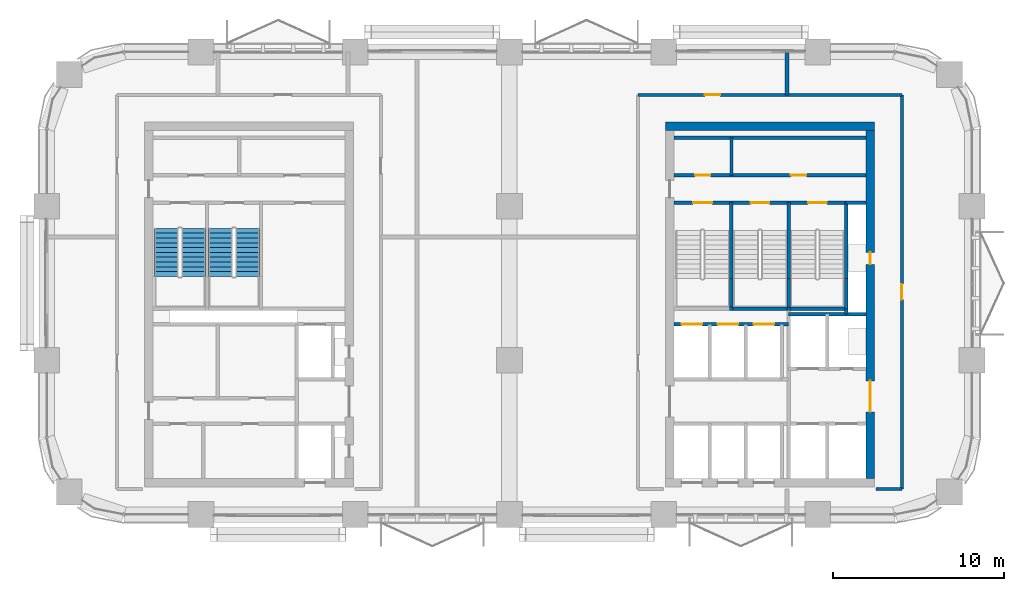
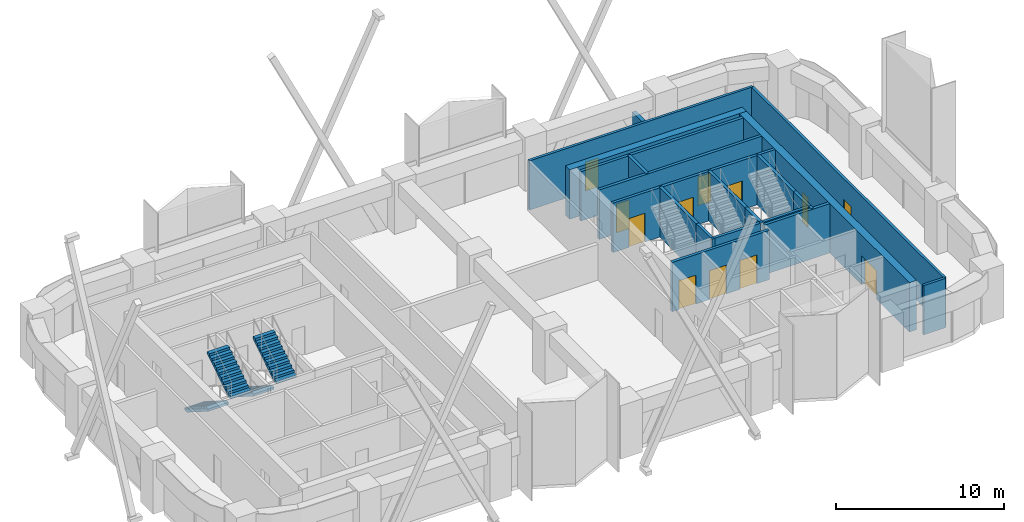
# One storey, part 11 of 14: 24 walls, 12 doors, 4 stair flights, 12 openings, 2 elements without a shape of their own.
"""IFC4 building model written with IfcOpenShell, lengths in metres."""

from ifc_helpers import new_model, si_unit, direction, frame, frame_2d, origin, place, context, subcontext, project, spatial, polyline, rectangle, outline, extrude, material, layer, layer_set, type_object, element, fill, aggregate, save


model = new_model("IFC4")

# Units and contexts
model_context = context("Model", 3, precision=1e-05, world=origin(), true_north=direction((0.0, 1.0)))
body_context = subcontext(model_context, "Body", "Model", "MODEL_VIEW")
ifc_project = project(units=[si_unit("LENGTHUNIT", "METRE"), si_unit("AREAUNIT", "SQUARE_METRE"), si_unit("VOLUMEUNIT", "CUBIC_METRE"), si_unit("PLANEANGLEUNIT", "RADIAN"), si_unit("MASSUNIT", "GRAM", prefix="KILO")], contexts=[model_context])

# Site, building, storey
site_placement = place(None, origin())
site = spatial("IfcSite", under=ifc_project, at=site_placement, CompositionType="ELEMENT")
building_placement = place(site_placement, origin())
building = spatial("IfcBuilding", under=site, at=building_placement, Name="Tessera Arch", CompositionType="ELEMENT")
storey_placement = place(building_placement, frame((0.0, 0.0, 181.699951171875)))
storey = spatial("IfcBuildingStorey", under=building, at=storey_placement, Name="L43", CompositionType="ELEMENT", Elevation=181.699951171875)

# Wall
ifc_material_1 = material(Name="Gypsum board on steel stud", Category="steel")
ifc_layer_1 = layer(ifc_material_1, 0.125)
ifc_layer_set_1 = layer_set([ifc_layer_1], Name="Core partition 125 EI 60")
wall_type_1 = type_object("IfcWallType", Name="Core partition 125 EI 60", PredefinedType="PARTITIONING", material=ifc_layer_set_1)
wall_1_placement = place(storey_placement, frame((39.9599609375, 46.800048828125, 0.0), z_axis=(0.0, 0.0, 1.0), x_axis=(0.0, 1.0, 0.0)))
element("IfcWall", 1, at=wall_1_placement, inside=storey, type_object=wall_type_1, Name="L43 C1 partition wall 5", PredefinedType="PARTITIONING", context=body_context, shape_type="SweptSolid", body=[
    extrude(rectangle(XDim=2.199951171875, YDim=0.199951171875, at=frame_2d((1.10009765625, 0.0))), origin(), (0.0, 0.0, 1.0), 3.60009765625),
])

# Wall, openings, doors
wall_2_placement = place(storey_placement, frame((36.60009765625, 46.800048828125, 0.0), z_axis=(0.0, 0.0, 1.0), x_axis=(1.0, 0.0, 0.0)))
wall_2 = element("IfcWall", 2, at=wall_2_placement, inside=storey, type_object=wall_type_1, Name="L43 C1 partition wall 31", PredefinedType="PARTITIONING", context=body_context, shape_type="SweptSolid", body=[
    extrude(rectangle(XDim=11.199951171875, YDim=0.199951171875, at=frame_2d((5.60009765625, 0.0))), origin(), (0.0, 0.0, 1.0), 3.60009765625),
])
opening_1_placement = place(wall_2_placement, frame((1.22998046875, 0.0, 0.0)))
opening_1 = element("IfcOpeningElement", 3, at=opening_1_placement, cuts=wall_2, Name="Opening L43-C18", PredefinedType="OPENING", context=body_context, shape_type="SweptSolid", body=[
    extrude(rectangle(XDim=0.89990234375, YDim=2.10009765625, at=frame_2d((0.449951171875, 1.050048828125))), frame((0.0, 0.10986328125, 0.0), z_axis=(0.0, -1.0, 0.0), x_axis=(1.0, 0.0, 0.0)), (0.0, 0.0, 1.0), 0.219970703125),
])
opening_2_placement = place(wall_2_placement, frame((6.830078125, 0.0, 0.0)))
opening_2 = element("IfcOpeningElement", 4, at=opening_2_placement, cuts=wall_2, Name="Opening L43-C19", PredefinedType="OPENING", context=body_context, shape_type="SweptSolid", body=[
    extrude(rectangle(XDim=0.89990234375, YDim=2.10009765625, at=frame_2d((0.449951171875, 1.050048828125))), frame((0.0, 0.10986328125, 0.0), z_axis=(0.0, -1.0, 0.0), x_axis=(1.0, 0.0, 0.0)), (0.0, 0.0, 1.0), 0.219970703125),
])
ifc_material_2 = material(Name="Steel door leaf", Category="steel")
door_type_1 = type_object("IfcDoorType", Name="Store door FD30S 900 x 2100", OperationType="SINGLE_SWING_LEFT", PredefinedType="DOOR", material=ifc_material_2)
door_1_placement = place(opening_1_placement, origin())
door_1 = element("IfcDoor", 5, at=door_1_placement, inside=storey, type_object=door_type_1, Name="L43 C1 door 18 C18 type D09", OperationType="SINGLE_SWING_LEFT", OverallHeight=2.10009765625, OverallWidth=0.89990234375, PredefinedType="DOOR", context=body_context, shape_type="SweptSolid", body=[
    extrude(rectangle(XDim=0.89990234375, YDim=2.10009765625, at=frame_2d((0.449951171875, 1.050048828125))), frame((0.0, 0.02490234375, 0.0), z_axis=(0.0, -1.0, 0.0), x_axis=(1.0, 0.0, 0.0)), (0.0, 0.0, 1.0), 0.050048828125),
])
fill(opening_1, door_1)
door_2_placement = place(opening_2_placement, origin())
door_2 = element("IfcDoor", 6, at=door_2_placement, inside=storey, type_object=door_type_1, Name="L43 C1 door 19 C19 type D09", OperationType="SINGLE_SWING_RIGHT", OverallHeight=2.10009765625, OverallWidth=0.89990234375, PredefinedType="DOOR", context=body_context, shape_type="SweptSolid", body=[
    extrude(rectangle(XDim=0.89990234375, YDim=2.10009765625, at=frame_2d((0.449951171875, 1.050048828125))), frame((0.0, 0.02490234375, 0.0), z_axis=(0.0, -1.0, 0.0), x_axis=(1.0, 0.0, 0.0)), (0.0, 0.0, 1.0), 0.050048828125),
])
fill(opening_2, door_2)

# Walls
wall_3_placement = place(storey_placement, frame((36.60009765625, 49.0, 0.0), z_axis=(0.0, 0.0, 1.0), x_axis=(1.0, 0.0, 0.0)))
element("IfcWall", 7, at=wall_3_placement, inside=storey, type_object=wall_type_1, Name="L43 C1 partition wall 32", PredefinedType="PARTITIONING", context=body_context, shape_type="SweptSolid", body=[
    extrude(rectangle(XDim=11.199951171875, YDim=0.199951171875, at=frame_2d((5.60009765625, 0.0))), origin(), (0.0, 0.0, 1.0), 3.60009765625),
])
ifc_material_3 = material(Name="Concrete C60/75", Category="concrete")
ifc_layer_2 = layer(ifc_material_3, 0.5)
ifc_layer_set_2 = layer_set([ifc_layer_2], Name="Core shell wall 500 C60-75")
wall_type_2 = type_object("IfcWallType", Name="Core shell wall 500 C60-75", PredefinedType="SHEAR", material=ifc_layer_set_2)
wall_4_placement = place(storey_placement, frame((36.10009765625, 49.64990234375, 0.0), z_axis=(0.0, 0.0, 1.0), x_axis=(1.0, 0.0, 0.0)))
element("IfcWall", 8, at=wall_4_placement, inside=storey, type_object=wall_type_2, Name="L43 C1 core wall N", PredefinedType="SHEAR", context=body_context, shape_type="SweptSolid", body=[
    extrude(rectangle(XDim=12.199951171875, YDim=0.5, at=frame_2d((6.10009765625, 0.0))), origin(), (0.0, 0.0, 1.0), 3.60009765625),
])

# Wall, openings, doors
wall_5_placement = place(storey_placement, frame((48.050048828125, 29.10009765625, 0.0), z_axis=(0.0, 0.0, 1.0), x_axis=(0.0, 1.0, 0.0)))
wall_5 = element("IfcWall", 9, at=wall_5_placement, inside=storey, type_object=wall_type_2, Name="L43 C1 core wall E", PredefinedType="SHEAR", context=body_context, shape_type="SweptSolid", body=[
    extrude(rectangle(XDim=20.2998046875, YDim=0.5, at=frame_2d((10.14990234375, 0.0))), origin(), (0.0, 0.0, 1.0), 3.60009765625),
])
opening_3_placement = place(wall_5_placement, frame((12.5, 0.0, 0.0)))
opening_3 = element("IfcOpeningElement", 10, at=opening_3_placement, cuts=wall_5, Name="Opening L43-C14", PredefinedType="OPENING", context=body_context, shape_type="SweptSolid", body=[
    extrude(rectangle(XDim=0.699951171875, YDim=2.10009765625, at=frame_2d((0.35009765625, 1.050048828125))), frame((0.0, 0.260009765625, 0.0), z_axis=(0.0, -1.0, 0.0), x_axis=(1.0, 0.0, 0.0)), (0.0, 0.0, 1.0), 0.52001953125),
])
opening_4_placement = place(wall_5_placement, frame((3.89990234375, 0.0, 0.0)))
opening_4 = element("IfcOpeningElement", 11, at=opening_4_placement, cuts=wall_5, Name="Opening L43-C15", PredefinedType="OPENING", context=body_context, shape_type="SweptSolid", body=[
    extrude(rectangle(XDim=1.800048828125, YDim=2.10009765625, at=frame_2d((0.89990234375, 1.050048828125))), frame((0.0, 0.260009765625, 0.0), z_axis=(0.0, -1.0, 0.0), x_axis=(1.0, 0.0, 0.0)), (0.0, 0.0, 1.0), 0.52001953125),
])
ifc_material_4 = material(Name="Glazed steel door leaf", Category="steel")
door_type_2 = type_object("IfcDoorType", Name="Lobby double door FD60 1800 x 2100", OperationType="DOUBLE_DOOR_SINGLE_SWING", PredefinedType="DOOR", material=ifc_material_4)
door_3_placement = place(opening_4_placement, origin())
door_3 = element("IfcDoor", 12, at=door_3_placement, inside=storey, type_object=door_type_2, Name="L43 C1 door 15 C15 type D19", OperationType="DOUBLE_DOOR_SINGLE_SWING", OverallHeight=2.10009765625, OverallWidth=1.800048828125, PredefinedType="DOOR", context=body_context, shape_type="SweptSolid", body=[
    extrude(rectangle(XDim=1.800048828125, YDim=2.10009765625, at=frame_2d((0.89990234375, 1.050048828125))), frame((0.0, 0.02490234375, 0.0), z_axis=(0.0, -1.0, 0.0), x_axis=(1.0, 0.0, 0.0)), (0.0, 0.0, 1.0), 0.050048828125),
])
fill(opening_4, door_3)
ifc_material_5 = material(Name="Steel door leaf", Category="steel")
door_type_3 = type_object("IfcDoorType", Name="Service shaft door FD60 700 x 2100", OperationType="SINGLE_SWING_LEFT", PredefinedType="DOOR", material=ifc_material_5)
door_4_placement = place(opening_3_placement, origin())
door_4 = element("IfcDoor", 13, at=door_4_placement, inside=storey, type_object=door_type_3, Name="L43 C1 door 14 C14 type D07", OperationType="SINGLE_SWING_RIGHT", OverallHeight=2.10009765625, OverallWidth=0.699951171875, PredefinedType="DOOR", context=body_context, shape_type="SweptSolid", body=[
    extrude(rectangle(XDim=0.699951171875, YDim=2.10009765625, at=frame_2d((0.35009765625, 1.050048828125))), frame((0.0, 0.02490234375, 0.0), z_axis=(0.0, -1.0, 0.0), x_axis=(1.0, 0.0, 0.0)), (0.0, 0.0, 1.0), 0.050048828125),
])
fill(opening_3, door_4)

# Wall
ifc_material_6 = material(Name="Gypsum board on deep steel stud with mineral wool", Category="steel")
ifc_layer_3 = layer(ifc_material_6, 0.175048828125)
ifc_layer_set_3 = layer_set([ifc_layer_3], Name="Corridor wall 175 EI 60")
wall_type_3 = type_object("IfcWallType", Name="Corridor wall 175 EI 60", PredefinedType="PARTITIONING", material=ifc_layer_set_3)
wall_6_placement = place(storey_placement, frame((48.39990234375, 28.5, 0.0), z_axis=(0.0, 0.0, 1.0), x_axis=(1.0, 0.0, 0.0)))
element("IfcWall", 14, at=wall_6_placement, inside=storey, type_object=wall_type_3, Name="L43 partition 4", PredefinedType="PARTITIONING", context=body_context, shape_type="SweptSolid", body=[
    extrude(rectangle(XDim=1.5, YDim=0.175048828125, at=frame_2d((0.75, 0.0))), origin(), (0.0, 0.0, 1.0), 3.60009765625),
])

# Wall, opening, door
wall_7_placement = place(storey_placement, frame((34.5, 51.5, 0.0), z_axis=(0.0, 0.0, 1.0), x_axis=(1.0, 0.0, 0.0)))
wall_7 = element("IfcWall", 15, at=wall_7_placement, inside=storey, type_object=wall_type_3, Name="L43 partition 6", PredefinedType="PARTITIONING", context=body_context, shape_type="SweptSolid", body=[
    extrude(rectangle(XDim=15.39990234375, YDim=0.175048828125, at=frame_2d((7.699951171875, 0.0))), origin(), (0.0, 0.0, 1.0), 3.60009765625),
])
opening_5_placement = place(wall_7_placement, frame((3.89990234375, 0.0, 0.0)))
opening_5 = element("IfcOpeningElement", 16, at=opening_5_placement, cuts=wall_7, Name="Opening L43-D004", PredefinedType="OPENING", context=body_context, shape_type="SweptSolid", body=[
    extrude(rectangle(XDim=0.89990234375, YDim=2.10009765625, at=frame_2d((0.449951171875, 1.050048828125))), frame((0.0, 0.097412109375, 0.0), z_axis=(0.0, -1.0, 0.0), x_axis=(1.0, 0.0, 0.0)), (0.0, 0.0, 1.0), 0.195068359375),
])
ifc_material_7 = material(Name="Timber door leaf", Category="wood")
door_type_4 = type_object("IfcDoorType", Name="Room door 900 x 2100", OperationType="SINGLE_SWING_LEFT", PredefinedType="DOOR", material=ifc_material_7)
door_5_placement = place(opening_5_placement, origin())
door_5 = element("IfcDoor", 17, at=door_5_placement, inside=storey, type_object=door_type_4, Name="L43 door D004 type D01", OperationType="SINGLE_SWING_RIGHT", OverallHeight=2.10009765625, OverallWidth=0.89990234375, PredefinedType="DOOR", context=body_context, shape_type="SweptSolid", body=[
    extrude(rectangle(XDim=0.89990234375, YDim=2.10009765625, at=frame_2d((0.449951171875, 1.050048828125))), frame((0.0, 0.02490234375, 0.0), z_axis=(0.0, -1.0, 0.0), x_axis=(1.0, 0.0, 0.0)), (0.0, 0.0, 1.0), 0.050048828125),
])
fill(opening_5, door_5)

wall_8_placement = place(storey_placement, frame((49.89990234375, 28.5, 0.0), z_axis=(0.0, 0.0, 1.0), x_axis=(0.0, 1.0, 0.0)))
wall_8 = element("IfcWall", 18, at=wall_8_placement, inside=storey, type_object=wall_type_3, Name="L43 partition 10", PredefinedType="PARTITIONING", context=body_context, shape_type="SweptSolid", body=[
    extrude(rectangle(XDim=23.0, YDim=0.175048828125, at=frame_2d((11.5, 0.0))), origin(), (0.0, 0.0, 1.0), 3.60009765625),
])
opening_6_placement = place(wall_8_placement, frame((11.050048828125, 0.0, 0.0)))
opening_6 = element("IfcOpeningElement", 19, at=opening_6_placement, cuts=wall_8, Name="Opening L43-D003", PredefinedType="OPENING", context=body_context, shape_type="SweptSolid", body=[
    extrude(rectangle(XDim=0.89990234375, YDim=2.10009765625, at=frame_2d((0.449951171875, 1.050048828125))), frame((0.0, 0.097412109375, 0.0), z_axis=(0.0, -1.0, 0.0), x_axis=(1.0, 0.0, 0.0)), (0.0, 0.0, 1.0), 0.195068359375),
])
door_6_placement = place(opening_6_placement, origin())
door_6 = element("IfcDoor", 20, at=door_6_placement, inside=storey, type_object=door_type_4, Name="L43 door D003 type D01", OperationType="SINGLE_SWING_RIGHT", OverallHeight=2.10009765625, OverallWidth=0.89990234375, PredefinedType="DOOR", context=body_context, shape_type="SweptSolid", body=[
    extrude(rectangle(XDim=0.89990234375, YDim=2.10009765625, at=frame_2d((0.449951171875, 1.050048828125))), frame((0.0, 0.02490234375, 0.0), z_axis=(0.0, -1.0, 0.0), x_axis=(1.0, 0.0, 0.0)), (0.0, 0.0, 1.0), 0.050048828125),
])
fill(opening_6, door_6)

# Walls
ifc_material_8 = material(Name="Double gypsum board on twin steel stud with acoustic mineral wool", Category="steel")
ifc_layer_4 = layer(ifc_material_8, 0.25)
ifc_layer_set_4 = layer_set([ifc_layer_4], Name="Party wall 250 EI 60")
wall_type_4 = type_object("IfcWallType", Name="Party wall 250 EI 60", PredefinedType="PARTITIONING", material=ifc_layer_set_4)
wall_9_placement = place(storey_placement, frame((43.199951171875, 51.5, 0.0), z_axis=(0.0, 0.0, 1.0), x_axis=(0.0, 1.0, 0.0)))
element("IfcWall", 21, at=wall_9_placement, inside=storey, type_object=wall_type_4, Name="L43 partition 17", PredefinedType="PARTITIONING", context=body_context, shape_type="SweptSolid", body=[
    extrude(rectangle(XDim=2.5, YDim=0.25, at=frame_2d((1.25, 0.0))), origin(), (0.0, 0.0, 1.0), 2.60009765625),
])
ifc_material_9 = material(Name="Concrete C40/50", Category="concrete")
ifc_layer_5 = layer(ifc_material_9, 0.199951171875)
ifc_layer_set_5 = layer_set([ifc_layer_5], Name="Shaft wall 200 EI 120")
wall_type_5 = type_object("IfcWallType", Name="Shaft wall 200 EI 120", PredefinedType="SOLIDWALL", material=ifc_layer_set_5)
wall_10_placement = place(storey_placement, frame((46.64990234375, 38.699951171875, 0.0), z_axis=(0.0, 0.0, 1.0), x_axis=(0.0, 1.0, 0.0)))
element("IfcWall", 22, at=wall_10_placement, inside=storey, type_object=wall_type_5, Name="L43 C1 shaft wall 15", PredefinedType="SOLIDWALL", context=body_context, shape_type="SweptSolid", body=[
    extrude(rectangle(XDim=0.300048828125, YDim=0.199951171875, at=frame_2d((0.14990234375, 0.0))), origin(), (0.0, 0.0, 1.0), 3.60009765625),
])

# Wall, openings, doors
wall_11_placement = place(storey_placement, frame((36.60009765625, 38.10009765625, 0.0), z_axis=(0.0, 0.0, 1.0), x_axis=(1.0, 0.0, 0.0)))
wall_11 = element("IfcWall", 23, at=wall_11_placement, inside=storey, type_object=wall_type_5, Name="L43 C1 shaft wall 22", PredefinedType="SOLIDWALL", context=body_context, shape_type="SweptSolid", body=[
    extrude(rectangle(XDim=6.699951171875, YDim=0.199951171875, at=frame_2d((3.35009765625, 0.0))), origin(), (0.0, 0.0, 1.0), 3.60009765625),
])
opening_7_placement = place(wall_11_placement, frame((0.449951171875, 0.0, 0.0)))
opening_7 = element("IfcOpeningElement", 24, at=opening_7_placement, cuts=wall_11, Name="Opening L43-C02", PredefinedType="OPENING", context=body_context, shape_type="SweptSolid", body=[
    extrude(rectangle(XDim=1.199951171875, YDim=2.10009765625, at=frame_2d((0.60009765625, 1.050048828125))), frame((0.0, 0.10986328125, 0.0), z_axis=(0.0, -1.0, 0.0), x_axis=(1.0, 0.0, 0.0)), (0.0, 0.0, 1.0), 0.219970703125),
])
opening_8_placement = place(wall_11_placement, frame((2.550048828125, 0.0, 0.0)))
opening_8 = element("IfcOpeningElement", 25, at=opening_8_placement, cuts=wall_11, Name="Opening L43-C04", PredefinedType="OPENING", context=body_context, shape_type="SweptSolid", body=[
    extrude(rectangle(XDim=1.199951171875, YDim=2.10009765625, at=frame_2d((0.60009765625, 1.050048828125))), frame((0.0, 0.10986328125, 0.0), z_axis=(0.0, -1.0, 0.0), x_axis=(1.0, 0.0, 0.0)), (0.0, 0.0, 1.0), 0.219970703125),
])
opening_9_placement = place(wall_11_placement, frame((4.64990234375, 0.0, 0.0)))
opening_9 = element("IfcOpeningElement", 26, at=opening_9_placement, cuts=wall_11, Name="Opening L43-C06", PredefinedType="OPENING", context=body_context, shape_type="SweptSolid", body=[
    extrude(rectangle(XDim=1.199951171875, YDim=2.10009765625, at=frame_2d((0.60009765625, 1.050048828125))), frame((0.0, 0.10986328125, 0.0), z_axis=(0.0, -1.0, 0.0), x_axis=(1.0, 0.0, 0.0)), (0.0, 0.0, 1.0), 0.219970703125),
])
ifc_material_10 = material(Name="Stainless steel AISI 304", Category="steel")
door_type_5 = type_object("IfcDoorType", Name="Sliding landing door 1200 x 2100", OperationType="SLIDING_TO_LEFT", PredefinedType="DOOR", material=ifc_material_10)
door_7_placement = place(opening_7_placement, origin())
door_7 = element("IfcDoor", 27, at=door_7_placement, inside=storey, type_object=door_type_5, Name="L43 HR4 lift landing door C02 type LD", OperationType="SLIDING_TO_LEFT", OverallHeight=2.10009765625, OverallWidth=1.199951171875, PredefinedType="DOOR", context=body_context, shape_type="SweptSolid", body=[
    extrude(rectangle(XDim=1.199951171875, YDim=2.10009765625, at=frame_2d((0.60009765625, 1.050048828125))), frame((0.0, 0.02490234375, 0.0), z_axis=(0.0, -1.0, 0.0), x_axis=(1.0, 0.0, 0.0)), (0.0, 0.0, 1.0), 0.050048828125),
])
fill(opening_7, door_7)
door_8_placement = place(opening_8_placement, origin())
door_8 = element("IfcDoor", 28, at=door_8_placement, inside=storey, type_object=door_type_5, Name="L43 HR5 lift landing door C04 type LD", OperationType="SLIDING_TO_LEFT", OverallHeight=2.10009765625, OverallWidth=1.199951171875, PredefinedType="DOOR", context=body_context, shape_type="SweptSolid", body=[
    extrude(rectangle(XDim=1.199951171875, YDim=2.10009765625, at=frame_2d((0.60009765625, 1.050048828125))), frame((0.0, 0.02490234375, 0.0), z_axis=(0.0, -1.0, 0.0), x_axis=(1.0, 0.0, 0.0)), (0.0, 0.0, 1.0), 0.050048828125),
])
fill(opening_8, door_8)
door_9_placement = place(opening_9_placement, origin())
door_9 = element("IfcDoor", 29, at=door_9_placement, inside=storey, type_object=door_type_5, Name="L43 HR6 lift landing door C06 type LD", OperationType="SLIDING_TO_LEFT", OverallHeight=2.10009765625, OverallWidth=1.199951171875, PredefinedType="DOOR", context=body_context, shape_type="SweptSolid", body=[
    extrude(rectangle(XDim=1.199951171875, YDim=2.10009765625, at=frame_2d((0.60009765625, 1.050048828125))), frame((0.0, 0.02490234375, 0.0), z_axis=(0.0, -1.0, 0.0), x_axis=(1.0, 0.0, 0.0)), (0.0, 0.0, 1.0), 0.050048828125),
])
fill(opening_9, door_9)

# Walls
wall_12_placement = place(storey_placement, frame((43.300048828125, 38.699951171875, 0.0), z_axis=(0.0, 0.0, 1.0), x_axis=(1.0, 0.0, 0.0)))
element("IfcWall", 30, at=wall_12_placement, inside=storey, type_object=wall_type_5, Name="L43 C1 shaft wall 23", PredefinedType="SOLIDWALL", context=body_context, shape_type="SweptSolid", body=[
    extrude(rectangle(XDim=4.5, YDim=0.199951171875, at=frame_2d((2.25, 0.0))), origin(), (0.0, 0.0, 1.0), 3.60009765625),
])
wall_13_placement = place(storey_placement, frame((46.64990234375, 45.199951171875, 0.0), z_axis=(0.0, 0.0, 1.0), x_axis=(1.0, 0.0, 0.0)))
element("IfcWall", 31, at=wall_13_placement, inside=storey, type_object=wall_type_5, Name="L43 C1 shaft wall 29", PredefinedType="SOLIDWALL", context=body_context, shape_type="SweptSolid", body=[
    extrude(rectangle(XDim=1.150146484375, YDim=0.199951171875, at=frame_2d((0.5751953125, 0.0))), origin(), (0.0, 0.0, 1.0), 3.60009765625),
])
ifc_material_11 = material(Name="Concrete C40/50", Category="concrete")
ifc_layer_6 = layer(ifc_material_11, 0.199951171875)
ifc_layer_set_6 = layer_set([ifc_layer_6], Name="Stair well wall 200 REI 180")
wall_type_6 = type_object("IfcWallType", Name="Stair well wall 200 REI 180", PredefinedType="SOLIDWALL", material=ifc_layer_set_6)
wall_14_placement = place(storey_placement, frame((39.949951171875, 39.0, 0.0), z_axis=(0.0, 0.0, 1.0), x_axis=(0.0, 1.0, 0.0)))
element("IfcWall", 32, at=wall_14_placement, inside=storey, type_object=wall_type_6, Name="L43 C1 shaft wall 3", PredefinedType="SOLIDWALL", context=body_context, shape_type="SweptSolid", body=[
    extrude(rectangle(XDim=1.780029296875, YDim=0.199951171875, at=frame_2d((0.89013671875, 0.0))), origin(), (0.0, 0.0, 1.0), 3.60009765625),
])
wall_15_placement = place(storey_placement, frame((39.949951171875, 40.780029296875, 0.0), z_axis=(0.0, 0.0, 1.0), x_axis=(0.0, 1.0, 0.0)))
element("IfcWall", 33, at=wall_15_placement, inside=storey, type_object=wall_type_6, Name="L43 C1 shaft wall 4", PredefinedType="SOLIDWALL", context=body_context, shape_type="SweptSolid", body=[
    extrude(rectangle(XDim=4.419921875, YDim=0.199951171875, at=frame_2d((2.2099609375, 0.0))), origin(), (0.0, 0.0, 1.0), 3.60009765625),
])
wall_16_placement = place(storey_placement, frame((43.300048828125, 39.0, 0.0), z_axis=(0.0, 0.0, 1.0), x_axis=(0.0, 1.0, 0.0)))
element("IfcWall", 34, at=wall_16_placement, inside=storey, type_object=wall_type_6, Name="L43 C1 shaft wall 11", PredefinedType="SOLIDWALL", context=body_context, shape_type="SweptSolid", body=[
    extrude(rectangle(XDim=1.780029296875, YDim=0.199951171875, at=frame_2d((0.89013671875, 0.0))), origin(), (0.0, 0.0, 1.0), 3.60009765625),
])
wall_17_placement = place(storey_placement, frame((43.300048828125, 40.780029296875, 0.0), z_axis=(0.0, 0.0, 1.0), x_axis=(0.0, 1.0, 0.0)))
element("IfcWall", 35, at=wall_17_placement, inside=storey, type_object=wall_type_6, Name="L43 C1 shaft wall 12", PredefinedType="SOLIDWALL", context=body_context, shape_type="SweptSolid", body=[
    extrude(rectangle(XDim=4.419921875, YDim=0.199951171875, at=frame_2d((2.2099609375, 0.0))), origin(), (0.0, 0.0, 1.0), 3.60009765625),
])
wall_18_placement = place(storey_placement, frame((46.64990234375, 39.0, 0.0), z_axis=(0.0, 0.0, 1.0), x_axis=(0.0, 1.0, 0.0)))
element("IfcWall", 36, at=wall_18_placement, inside=storey, type_object=wall_type_6, Name="L43 C1 shaft wall 16", PredefinedType="SOLIDWALL", context=body_context, shape_type="SweptSolid", body=[
    extrude(rectangle(XDim=1.780029296875, YDim=0.199951171875, at=frame_2d((0.89013671875, 0.0))), origin(), (0.0, 0.0, 1.0), 3.60009765625),
])
wall_19_placement = place(storey_placement, frame((46.64990234375, 40.780029296875, 0.0), z_axis=(0.0, 0.0, 1.0), x_axis=(0.0, 1.0, 0.0)))
element("IfcWall", 37, at=wall_19_placement, inside=storey, type_object=wall_type_6, Name="L43 C1 shaft wall 17", PredefinedType="SOLIDWALL", context=body_context, shape_type="SweptSolid", body=[
    extrude(rectangle(XDim=4.419921875, YDim=0.199951171875, at=frame_2d((2.2099609375, 0.0))), origin(), (0.0, 0.0, 1.0), 3.60009765625),
])
wall_20_placement = place(storey_placement, frame((39.85009765625, 39.0, 0.0), z_axis=(0.0, 0.0, 1.0), x_axis=(1.0, 0.0, 0.0)))
element("IfcWall", 38, at=wall_20_placement, inside=storey, type_object=wall_type_6, Name="L43 C1 shaft wall 25", PredefinedType="SOLIDWALL", context=body_context, shape_type="SweptSolid", body=[
    extrude(rectangle(XDim=0.199951171875, YDim=0.199951171875, at=frame_2d((0.10009765625, 0.0))), origin(), (0.0, 0.0, 1.0), 3.60009765625),
])
wall_21_placement = place(storey_placement, frame((40.050048828125, 39.0, 0.0), z_axis=(0.0, 0.0, 1.0), x_axis=(1.0, 0.0, 0.0)))
element("IfcWall", 39, at=wall_21_placement, inside=storey, type_object=wall_type_6, Name="L43 C1 shaft wall 26", PredefinedType="SOLIDWALL", context=body_context, shape_type="SweptSolid", body=[
    extrude(rectangle(XDim=3.14990234375, YDim=0.199951171875, at=frame_2d((1.574951171875, 0.0))), origin(), (0.0, 0.0, 1.0), 3.60009765625),
])
wall_22_placement = place(storey_placement, frame((43.199951171875, 39.0, 0.0), z_axis=(0.0, 0.0, 1.0), x_axis=(1.0, 0.0, 0.0)))
element("IfcWall", 40, at=wall_22_placement, inside=storey, type_object=wall_type_6, Name="L43 C1 shaft wall 27", PredefinedType="SOLIDWALL", context=body_context, shape_type="SweptSolid", body=[
    extrude(rectangle(XDim=0.199951171875, YDim=0.199951171875, at=frame_2d((0.10009765625, 0.0))), origin(), (0.0, 0.0, 1.0), 3.60009765625),
])
wall_23_placement = place(storey_placement, frame((43.39990234375, 39.0, 0.0), z_axis=(0.0, 0.0, 1.0), x_axis=(1.0, 0.0, 0.0)))
element("IfcWall", 41, at=wall_23_placement, inside=storey, type_object=wall_type_6, Name="L43 C1 shaft wall 28", PredefinedType="SOLIDWALL", context=body_context, shape_type="SweptSolid", body=[
    extrude(rectangle(XDim=3.25, YDim=0.199951171875, at=frame_2d((1.625, 0.0))), origin(), (0.0, 0.0, 1.0), 3.60009765625),
])

# Wall, openings, doors
wall_24_placement = place(storey_placement, frame((36.60009765625, 45.199951171875, 0.0), z_axis=(0.0, 0.0, 1.0), x_axis=(1.0, 0.0, 0.0)))
wall_24 = element("IfcWall", 42, at=wall_24_placement, inside=storey, type_object=wall_type_6, Name="L43 C1 shaft wall 30", PredefinedType="SOLIDWALL", context=body_context, shape_type="SweptSolid", body=[
    extrude(rectangle(XDim=10.0498046875, YDim=0.199951171875, at=frame_2d((5.02490234375, 0.0))), origin(), (0.0, 0.0, 1.0), 3.60009765625),
])
opening_10_placement = place(wall_24_placement, frame((1.125, 0.0, 0.0)))
opening_10 = element("IfcOpeningElement", 43, at=opening_10_placement, cuts=wall_24, Name="Opening L43-C11", PredefinedType="OPENING", context=body_context, shape_type="SweptSolid", body=[
    extrude(rectangle(XDim=1.10009765625, YDim=2.10009765625, at=frame_2d((0.550048828125, 1.050048828125))), frame((0.0, 0.10986328125, 0.0), z_axis=(0.0, -1.0, 0.0), x_axis=(1.0, 0.0, 0.0)), (0.0, 0.0, 1.0), 0.219970703125),
])
opening_11_placement = place(wall_24_placement, frame((4.47509765625, 0.0, 0.0)))
opening_11 = element("IfcOpeningElement", 44, at=opening_11_placement, cuts=wall_24, Name="Opening L43-C12", PredefinedType="OPENING", context=body_context, shape_type="SweptSolid", body=[
    extrude(rectangle(XDim=1.10009765625, YDim=2.10009765625, at=frame_2d((0.550048828125, 1.050048828125))), frame((0.0, 0.10986328125, 0.0), z_axis=(0.0, -1.0, 0.0), x_axis=(1.0, 0.0, 0.0)), (0.0, 0.0, 1.0), 0.219970703125),
])
opening_12_placement = place(wall_24_placement, frame((7.824951171875, 0.0, 0.0)))
opening_12 = element("IfcOpeningElement", 45, at=opening_12_placement, cuts=wall_24, Name="Opening L43-C13", PredefinedType="OPENING", context=body_context, shape_type="SweptSolid", body=[
    extrude(rectangle(XDim=1.10009765625, YDim=2.10009765625, at=frame_2d((0.550048828125, 1.050048828125))), frame((0.0, 0.10986328125, 0.0), z_axis=(0.0, -1.0, 0.0), x_axis=(1.0, 0.0, 0.0)), (0.0, 0.0, 1.0), 0.219970703125),
])
ifc_material_12 = material(Name="Steel door leaf", Category="steel")
door_type_6 = type_object("IfcDoorType", Name="Stair door FD60 1100 x 2100", OperationType="SINGLE_SWING_LEFT", PredefinedType="DOOR", material=ifc_material_12)
door_10_placement = place(opening_10_placement, origin())
door_10 = element("IfcDoor", 46, at=door_10_placement, inside=storey, type_object=door_type_6, Name="L43 C1 door 11 C11 type D05", OperationType="SINGLE_SWING_LEFT", OverallHeight=2.10009765625, OverallWidth=1.10009765625, PredefinedType="DOOR", context=body_context, shape_type="SweptSolid", body=[
    extrude(rectangle(XDim=1.10009765625, YDim=2.10009765625, at=frame_2d((0.550048828125, 1.050048828125))), frame((0.0, 0.02490234375, 0.0), z_axis=(0.0, -1.0, 0.0), x_axis=(1.0, 0.0, 0.0)), (0.0, 0.0, 1.0), 0.050048828125),
])
fill(opening_10, door_10)
door_11_placement = place(opening_11_placement, origin())
door_11 = element("IfcDoor", 47, at=door_11_placement, inside=storey, type_object=door_type_6, Name="L43 C1 door 12 C12 type D05", OperationType="SINGLE_SWING_RIGHT", OverallHeight=2.10009765625, OverallWidth=1.10009765625, PredefinedType="DOOR", context=body_context, shape_type="SweptSolid", body=[
    extrude(rectangle(XDim=1.10009765625, YDim=2.10009765625, at=frame_2d((0.550048828125, 1.050048828125))), frame((0.0, 0.02490234375, 0.0), z_axis=(0.0, -1.0, 0.0), x_axis=(1.0, 0.0, 0.0)), (0.0, 0.0, 1.0), 0.050048828125),
])
fill(opening_11, door_11)
door_12_placement = place(opening_12_placement, origin())
door_12 = element("IfcDoor", 48, at=door_12_placement, inside=storey, type_object=door_type_6, Name="L43 C1 door 13 C13 type D05", OperationType="SINGLE_SWING_RIGHT", OverallHeight=2.10009765625, OverallWidth=1.10009765625, PredefinedType="DOOR", context=body_context, shape_type="SweptSolid", body=[
    extrude(rectangle(XDim=1.10009765625, YDim=2.10009765625, at=frame_2d((0.550048828125, 1.050048828125))), frame((0.0, 0.02490234375, 0.0), z_axis=(0.0, -1.0, 0.0), x_axis=(1.0, 0.0, 0.0)), (0.0, 0.0, 1.0), 0.050048828125),
])
fill(opening_12, door_12)

# Stair, stair flights
ifc_material_13 = material(Name="Concrete C40/50", Category="concrete")
stair_type = type_object("IfcStairType", Name="Dogleg stair 1400", PredefinedType="HALF_TURN_STAIR", material=ifc_material_13)
stair_1_placement = place(storey_placement, origin())
stair_1 = element("IfcStair", 49, at=stair_1_placement, inside=storey, type_object=stair_type, Name="L43 S2a", PredefinedType="HALF_TURN_STAIR")
ifc_material_14 = material(Name="Concrete C40/50", Category="concrete")
stair_flight_type = type_object("IfcStairFlightType", Name="Stair flight 1400", PredefinedType="STRAIGHT", material=ifc_material_14)
stair_flight_1_placement = place(storey_placement, frame((7.0, 43.699951171875, 0.0), z_axis=(0.0, 0.0, 1.0), x_axis=(0.0, -1.0, 0.0)))
stair_flight_1 = element("IfcStairFlight", 50, at=stair_flight_1_placement, type_object=stair_flight_type, Name="S2a flight 1", NumberOfRisers=11, NumberOfTreads=10, PredefinedType="STRAIGHT", RiserHeight=0.177272727, TreadLength=0.28, context=body_context, shape_type="SweptSolid", body=[
    extrude(outline(polyline([(0.0, 0.0), (0.0, 0.17724609375), (0.280029296875, 0.17724609375), (0.280029296875, 0.3544921875), (0.56005859375, 0.3544921875), (0.56005859375, 0.53173828125), (0.840087890625, 0.53173828125), (0.840087890625, 0.708984375), (1.1201171875, 0.708984375), (1.1201171875, 0.886474609375), (1.39990234375, 0.886474609375), (1.39990234375, 1.063720703125), (1.679931640625, 1.063720703125), (1.679931640625, 1.240966796875), (1.9599609375, 1.240966796875), (1.9599609375, 1.418212890625), (2.239990234375, 1.418212890625), (2.239990234375, 1.595458984375), (2.52001953125, 1.595458984375), (2.52001953125, 1.772705078125), (2.800048828125, 1.772705078125), (2.800048828125, 1.949951171875), (2.800048828125, 1.59521484375), (0.2802734375, 0.0), (0.0, 0.0)])), frame((0.0, 0.699951171875, 0.0), z_axis=(0.0, -1.0, 0.0), x_axis=(1.0, 0.0, 0.0)), (0.0, 0.0, 1.0), 1.39990234375),
])
stair_flight_2_placement = place(storey_placement, frame((8.550048828125, 40.89990234375, 1.949951171875), z_axis=(0.0, 0.0, 1.0), x_axis=(0.0, 1.0, 0.0)))
stair_flight_2 = element("IfcStairFlight", 51, at=stair_flight_2_placement, type_object=stair_flight_type, Name="S2a flight 2", NumberOfRisers=11, NumberOfTreads=10, PredefinedType="STRAIGHT", RiserHeight=0.177272727, TreadLength=0.28, context=body_context, shape_type="SweptSolid", body=[
    extrude(outline(polyline([(0.0, 0.0), (0.0, 0.17724609375), (0.280029296875, 0.17724609375), (0.280029296875, 0.3544921875), (0.56005859375, 0.3544921875), (0.56005859375, 0.53173828125), (0.840087890625, 0.53173828125), (0.840087890625, 0.708984375), (1.1201171875, 0.708984375), (1.1201171875, 0.886474609375), (1.39990234375, 0.886474609375), (1.39990234375, 1.063720703125), (1.679931640625, 1.063720703125), (1.679931640625, 1.240966796875), (1.9599609375, 1.240966796875), (1.9599609375, 1.418212890625), (2.239990234375, 1.418212890625), (2.239990234375, 1.595458984375), (2.52001953125, 1.595458984375), (2.52001953125, 1.772705078125), (2.800048828125, 1.772705078125), (2.800048828125, 1.949951171875), (2.800048828125, 1.59521484375), (0.2802734375, 0.0), (0.0, 0.0)])), frame((0.0, 0.699951171875, 0.0), z_axis=(0.0, -1.0, 0.0), x_axis=(1.0, 0.0, 0.0)), (0.0, 0.0, 1.0), 1.39990234375),
])
aggregate(stair_1, [stair_flight_1, stair_flight_2])

stair_2_placement = place(storey_placement, origin())
stair_2 = element("IfcStair", 52, at=stair_2_placement, inside=storey, type_object=stair_type, Name="L43 S2b", PredefinedType="HALF_TURN_STAIR")
stair_flight_3_placement = place(storey_placement, frame((10.14990234375, 43.699951171875, 0.0), z_axis=(0.0, 0.0, 1.0), x_axis=(0.0, -1.0, 0.0)))
stair_flight_3 = element("IfcStairFlight", 53, at=stair_flight_3_placement, type_object=stair_flight_type, Name="S2b flight 1", NumberOfRisers=11, NumberOfTreads=10, PredefinedType="STRAIGHT", RiserHeight=0.177272727, TreadLength=0.28, context=body_context, shape_type="SweptSolid", body=[
    extrude(outline(polyline([(0.0, 0.0), (0.0, 0.17724609375), (0.280029296875, 0.17724609375), (0.280029296875, 0.3544921875), (0.56005859375, 0.3544921875), (0.56005859375, 0.53173828125), (0.840087890625, 0.53173828125), (0.840087890625, 0.708984375), (1.1201171875, 0.708984375), (1.1201171875, 0.886474609375), (1.39990234375, 0.886474609375), (1.39990234375, 1.063720703125), (1.679931640625, 1.063720703125), (1.679931640625, 1.240966796875), (1.9599609375, 1.240966796875), (1.9599609375, 1.418212890625), (2.239990234375, 1.418212890625), (2.239990234375, 1.595458984375), (2.52001953125, 1.595458984375), (2.52001953125, 1.772705078125), (2.800048828125, 1.772705078125), (2.800048828125, 1.949951171875), (2.800048828125, 1.59521484375), (0.2802734375, 0.0), (0.0, 0.0)])), frame((0.0, 0.699951171875, 0.0), z_axis=(0.0, -1.0, 0.0), x_axis=(1.0, 0.0, 0.0)), (0.0, 0.0, 1.0), 1.39990234375),
])
stair_flight_4_placement = place(storey_placement, frame((11.699951171875, 40.89990234375, 1.949951171875), z_axis=(0.0, 0.0, 1.0), x_axis=(0.0, 1.0, 0.0)))
stair_flight_4 = element("IfcStairFlight", 54, at=stair_flight_4_placement, type_object=stair_flight_type, Name="S2b flight 2", NumberOfRisers=11, NumberOfTreads=10, PredefinedType="STRAIGHT", RiserHeight=0.177272727, TreadLength=0.28, context=body_context, shape_type="SweptSolid", body=[
    extrude(outline(polyline([(0.0, 0.0), (0.0, 0.17724609375), (0.280029296875, 0.17724609375), (0.280029296875, 0.3544921875), (0.56005859375, 0.3544921875), (0.56005859375, 0.53173828125), (0.840087890625, 0.53173828125), (0.840087890625, 0.708984375), (1.1201171875, 0.708984375), (1.1201171875, 0.886474609375), (1.39990234375, 0.886474609375), (1.39990234375, 1.063720703125), (1.679931640625, 1.063720703125), (1.679931640625, 1.240966796875), (1.9599609375, 1.240966796875), (1.9599609375, 1.418212890625), (2.239990234375, 1.418212890625), (2.239990234375, 1.595458984375), (2.52001953125, 1.595458984375), (2.52001953125, 1.772705078125), (2.800048828125, 1.772705078125), (2.800048828125, 1.949951171875), (2.800048828125, 1.59521484375), (0.2802734375, 0.0), (0.0, 0.0)])), frame((0.0, 0.699951171875, 0.0), z_axis=(0.0, -1.0, 0.0), x_axis=(1.0, 0.0, 0.0)), (0.0, 0.0, 1.0), 1.39990234375),
])
aggregate(stair_2, [stair_flight_3, stair_flight_4])

save(model, "model.ifc")
